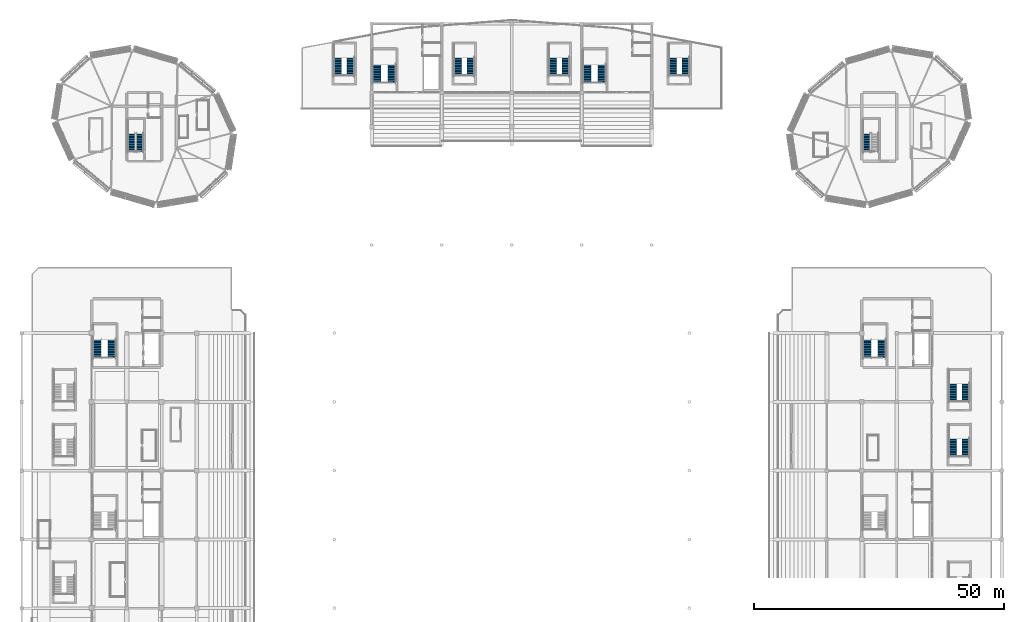
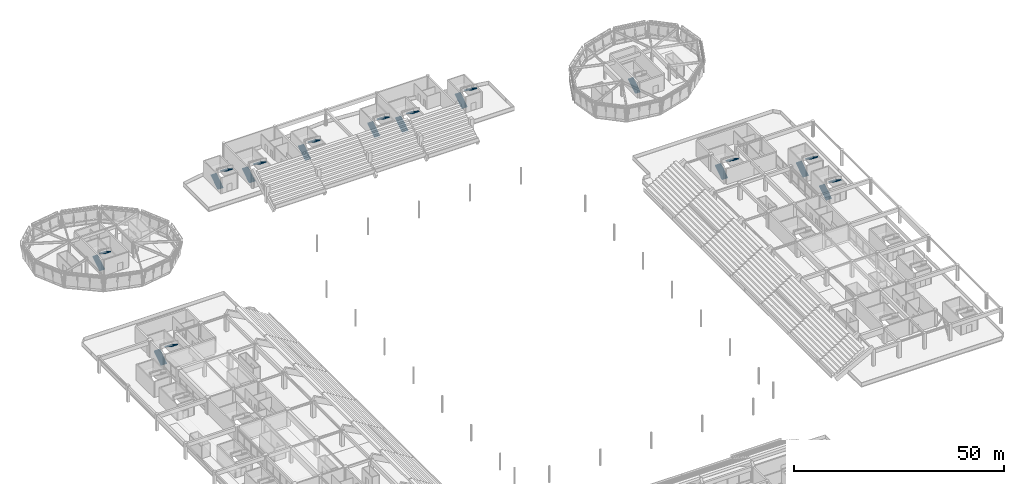
# One storey, part 79 of 94: 23 stair flights, 12 elements without a shape of their own.
"""IFC4 building model written with IfcOpenShell, lengths in metres."""

from ifc_helpers import new_model, si_unit, direction, frame, origin, place, context, subcontext, project, spatial, polyline, outline, extrude, material, type_object, element, aggregate, save


model = new_model("IFC4")

# Units and contexts
model_context = context("Model", 3, precision=1e-05, world=origin(), true_north=direction((0.0, 1.0)))
body_context = subcontext(model_context, "Body", "Model", "MODEL_VIEW")
ifc_project = project(units=[si_unit("LENGTHUNIT", "METRE"), si_unit("AREAUNIT", "SQUARE_METRE"), si_unit("VOLUMEUNIT", "CUBIC_METRE"), si_unit("PLANEANGLEUNIT", "RADIAN"), si_unit("MASSUNIT", "GRAM", prefix="KILO")], contexts=[model_context])

# Site, building, storey
site_placement = place(None, origin())
site = spatial("IfcSite", under=ifc_project, at=site_placement, CompositionType="ELEMENT")
building_placement = place(site_placement, origin())
building = spatial("IfcBuilding", under=site, at=building_placement, Name="Linyun Crest Stadium", CompositionType="ELEMENT")
storey_placement = place(building_placement, frame((0.0, 0.0, 16.199951171875)))
storey = spatial("IfcBuildingStorey", under=building, at=storey_placement, Name="L04", CompositionType="ELEMENT", Elevation=16.199951171875)

# Stair, stair flights
ifc_material_1 = material(Name="Concrete C40", Category="concrete")
stair_type = type_object("IfcStairType", Name="STA03", PredefinedType="HALF_TURN_STAIR", material=ifc_material_1)
stair_1_placement = place(storey_placement, origin())
stair_1 = element("IfcStair", 1, at=stair_1_placement, inside=storey, type_object=stair_type, Name="Evacuation stair STR-03-L04", PredefinedType="HALF_TURN_STAIR")
ifc_material_2 = material(Name="Concrete C40", Category="concrete")
stair_flight_type_1 = type_object("IfcStairFlightType", Name="STF01", PredefinedType="STRAIGHT", material=ifc_material_2)
stair_flight_1_placement = place(storey_placement, frame((-82.909912109375, 38.489990234375, 0.0), z_axis=(0.0, 0.0, 1.0), x_axis=(0.0, 1.0, 0.0)))
stair_flight_1 = element("IfcStairFlight", 2, at=stair_flight_1_placement, type_object=stair_flight_type_1, Name="STR-03-L04 flight 1", NumberOfRisers=15, NumberOfTreads=14, PredefinedType="STRAIGHT", RiserHeight=0.16, TreadLength=0.25, context=body_context, shape_type="SweptSolid", body=[
    extrude(outline(polyline([(0.0, 0.0), (0.0, 0.159912109375), (0.25, 0.159912109375), (0.25, 0.320068359375), (0.5, 0.320068359375), (0.5, 0.47998046875), (0.75, 0.47998046875), (0.75, 0.639892578125), (1.0, 0.639892578125), (1.0, 0.800048828125), (1.25, 0.800048828125), (1.25, 0.9599609375), (1.5, 0.9599609375), (1.5, 1.1201171875), (1.75, 1.1201171875), (1.75, 1.280029296875), (2.0, 1.280029296875), (2.0, 1.43994140625), (2.25, 1.43994140625), (2.25, 1.60009765625), (2.5, 1.60009765625), (2.5, 1.760009765625), (2.75, 1.760009765625), (2.75, 1.919921875), (3.0, 1.919921875), (3.0, 2.080078125), (3.25, 2.080078125), (3.25, 2.239990234375), (3.5, 2.239990234375), (3.5, 2.39990234375), (3.5, 2.0263671875), (0.333740234375, 0.0), (0.0, 0.0)])), frame((0.0, 0.824951171875, 0.0), z_axis=(0.0, -1.0, 0.0), x_axis=(1.0, 0.0, 0.0)), (0.0, 0.0, 1.0), 1.64990234375),
])
stair_flight_2_placement = place(storey_placement, frame((-79.965087890625, 41.989990234375, 2.400146484375), z_axis=(0.0, 0.0, 1.0), x_axis=(0.0, -1.0, 0.0)))
stair_flight_2 = element("IfcStairFlight", 3, at=stair_flight_2_placement, type_object=stair_flight_type_1, Name="STR-03-L04 flight 2", NumberOfRisers=15, NumberOfTreads=14, PredefinedType="STRAIGHT", RiserHeight=0.16, TreadLength=0.25, context=body_context, shape_type="SweptSolid", body=[
    extrude(outline(polyline([(0.0, 0.0), (0.0, 0.159912109375), (0.25, 0.159912109375), (0.25, 0.320068359375), (0.5, 0.320068359375), (0.5, 0.47998046875), (0.75, 0.47998046875), (0.75, 0.639892578125), (1.0, 0.639892578125), (1.0, 0.800048828125), (1.25, 0.800048828125), (1.25, 0.9599609375), (1.5, 0.9599609375), (1.5, 1.1201171875), (1.75, 1.1201171875), (1.75, 1.280029296875), (2.0, 1.280029296875), (2.0, 1.43994140625), (2.25, 1.43994140625), (2.25, 1.60009765625), (2.5, 1.60009765625), (2.5, 1.760009765625), (2.75, 1.760009765625), (2.75, 1.919921875), (3.0, 1.919921875), (3.0, 2.080078125), (3.25, 2.080078125), (3.25, 2.239990234375), (3.5, 2.239990234375), (3.5, 2.39990234375), (3.5, 2.0263671875), (0.333740234375, 0.0), (0.0, 0.0)])), frame((0.0, 0.824951171875, 0.0), z_axis=(0.0, -1.0, 0.0), x_axis=(1.0, 0.0, 0.0)), (0.0, 0.0, 1.0), 1.64990234375),
])
aggregate(stair_1, [stair_flight_1, stair_flight_2])

stair_2_placement = place(storey_placement, origin())
stair_2 = element("IfcStair", 4, at=stair_2_placement, inside=storey, type_object=stair_type, Name="Evacuation stair STR-06-L04", PredefinedType="HALF_TURN_STAIR")
stair_flight_3_placement = place(storey_placement, frame((71.090087890625, 38.489990234375, 0.0), z_axis=(0.0, 0.0, 1.0), x_axis=(0.0, 1.0, 0.0)))
stair_flight_3 = element("IfcStairFlight", 5, at=stair_flight_3_placement, type_object=stair_flight_type_1, Name="STR-06-L04 flight 1", NumberOfRisers=15, NumberOfTreads=14, PredefinedType="STRAIGHT", RiserHeight=0.16, TreadLength=0.25, context=body_context, shape_type="SweptSolid", body=[
    extrude(outline(polyline([(0.0, 0.0), (0.0, 0.159912109375), (0.25, 0.159912109375), (0.25, 0.320068359375), (0.5, 0.320068359375), (0.5, 0.47998046875), (0.75, 0.47998046875), (0.75, 0.639892578125), (1.0, 0.639892578125), (1.0, 0.800048828125), (1.25, 0.800048828125), (1.25, 0.9599609375), (1.5, 0.9599609375), (1.5, 1.1201171875), (1.75, 1.1201171875), (1.75, 1.280029296875), (2.0, 1.280029296875), (2.0, 1.43994140625), (2.25, 1.43994140625), (2.25, 1.60009765625), (2.5, 1.60009765625), (2.5, 1.760009765625), (2.75, 1.760009765625), (2.75, 1.919921875), (3.0, 1.919921875), (3.0, 2.080078125), (3.25, 2.080078125), (3.25, 2.239990234375), (3.5, 2.239990234375), (3.5, 2.39990234375), (3.5, 2.0263671875), (0.333740234375, 0.0), (0.0, 0.0)])), frame((0.0, 0.824951171875, 0.0), z_axis=(0.0, -1.0, 0.0), x_axis=(1.0, 0.0, 0.0)), (0.0, 0.0, 1.0), 1.64990234375),
])
stair_flight_4_placement = place(storey_placement, frame((74.034912109375, 41.989990234375, 2.400146484375), z_axis=(0.0, 0.0, 1.0), x_axis=(0.0, -1.0, 0.0)))
stair_flight_4 = element("IfcStairFlight", 6, at=stair_flight_4_placement, type_object=stair_flight_type_1, Name="STR-06-L04 flight 2", NumberOfRisers=15, NumberOfTreads=14, PredefinedType="STRAIGHT", RiserHeight=0.16, TreadLength=0.25, context=body_context, shape_type="SweptSolid", body=[
    extrude(outline(polyline([(0.0, 0.0), (0.0, 0.159912109375), (0.25, 0.159912109375), (0.25, 0.320068359375), (0.5, 0.320068359375), (0.5, 0.47998046875), (0.75, 0.47998046875), (0.75, 0.639892578125), (1.0, 0.639892578125), (1.0, 0.800048828125), (1.25, 0.800048828125), (1.25, 0.9599609375), (1.5, 0.9599609375), (1.5, 1.1201171875), (1.75, 1.1201171875), (1.75, 1.280029296875), (2.0, 1.280029296875), (2.0, 1.43994140625), (2.25, 1.43994140625), (2.25, 1.60009765625), (2.5, 1.60009765625), (2.5, 1.760009765625), (2.75, 1.760009765625), (2.75, 1.919921875), (3.0, 1.919921875), (3.0, 2.080078125), (3.25, 2.080078125), (3.25, 2.239990234375), (3.5, 2.239990234375), (3.5, 2.39990234375), (3.5, 2.0263671875), (0.333740234375, 0.0), (0.0, 0.0)])), frame((0.0, 0.824951171875, 0.0), z_axis=(0.0, -1.0, 0.0), x_axis=(1.0, 0.0, 0.0)), (0.0, 0.0, 1.0), 1.64990234375),
])
aggregate(stair_2, [stair_flight_3, stair_flight_4])

stair_3_placement = place(storey_placement, origin())
stair_3 = element("IfcStair", 7, at=stair_3_placement, inside=storey, type_object=stair_type, Name="Evacuation stair STR-07-L04", PredefinedType="HALF_TURN_STAIR")
stair_flight_5_placement = place(storey_placement, frame((-26.9599609375, 93.489990234375, 0.0), z_axis=(0.0, 0.0, 1.0), x_axis=(0.0, 1.0, 0.0)))
stair_flight_5 = element("IfcStairFlight", 8, at=stair_flight_5_placement, type_object=stair_flight_type_1, Name="STR-07-L04 flight 1", NumberOfRisers=15, NumberOfTreads=14, PredefinedType="STRAIGHT", RiserHeight=0.16, TreadLength=0.25, context=body_context, shape_type="SweptSolid", body=[
    extrude(outline(polyline([(0.0, 0.0), (0.0, 0.159912109375), (0.25, 0.159912109375), (0.25, 0.320068359375), (0.5, 0.320068359375), (0.5, 0.47998046875), (0.75, 0.47998046875), (0.75, 0.639892578125), (1.0, 0.639892578125), (1.0, 0.800048828125), (1.25, 0.800048828125), (1.25, 0.9599609375), (1.5, 0.9599609375), (1.5, 1.1201171875), (1.75, 1.1201171875), (1.75, 1.280029296875), (2.0, 1.280029296875), (2.0, 1.43994140625), (2.25, 1.43994140625), (2.25, 1.60009765625), (2.5, 1.60009765625), (2.5, 1.760009765625), (2.75, 1.760009765625), (2.75, 1.919921875), (3.0, 1.919921875), (3.0, 2.080078125), (3.25, 2.080078125), (3.25, 2.239990234375), (3.5, 2.239990234375), (3.5, 2.39990234375), (3.5, 2.0263671875), (0.333740234375, 0.0), (0.0, 0.0)])), frame((0.0, 0.824951171875, 0.0), z_axis=(0.0, -1.0, 0.0), x_axis=(1.0, 0.0, 0.0)), (0.0, 0.0, 1.0), 1.64990234375),
])
stair_flight_6_placement = place(storey_placement, frame((-23.965087890625, 96.989990234375, 2.400146484375), z_axis=(0.0, 0.0, 1.0), x_axis=(0.0, -1.0, 0.0)))
stair_flight_6 = element("IfcStairFlight", 9, at=stair_flight_6_placement, type_object=stair_flight_type_1, Name="STR-07-L04 flight 2", NumberOfRisers=15, NumberOfTreads=14, PredefinedType="STRAIGHT", RiserHeight=0.16, TreadLength=0.25, context=body_context, shape_type="SweptSolid", body=[
    extrude(outline(polyline([(0.0, 0.0), (0.0, 0.159912109375), (0.25, 0.159912109375), (0.25, 0.320068359375), (0.5, 0.320068359375), (0.5, 0.47998046875), (0.75, 0.47998046875), (0.75, 0.639892578125), (1.0, 0.639892578125), (1.0, 0.800048828125), (1.25, 0.800048828125), (1.25, 0.9599609375), (1.5, 0.9599609375), (1.5, 1.1201171875), (1.75, 1.1201171875), (1.75, 1.280029296875), (2.0, 1.280029296875), (2.0, 1.43994140625), (2.25, 1.43994140625), (2.25, 1.60009765625), (2.5, 1.60009765625), (2.5, 1.760009765625), (2.75, 1.760009765625), (2.75, 1.919921875), (3.0, 1.919921875), (3.0, 2.080078125), (3.25, 2.080078125), (3.25, 2.239990234375), (3.5, 2.239990234375), (3.5, 2.39990234375), (3.5, 2.0263671875), (0.333740234375, 0.0), (0.0, 0.0)])), frame((0.0, 0.824951171875, 0.0), z_axis=(0.0, -1.0, 0.0), x_axis=(1.0, 0.0, 0.0)), (0.0, 0.0, 1.0), 1.64990234375),
])
aggregate(stair_3, [stair_flight_5, stair_flight_6])

stair_4_placement = place(storey_placement, origin())
stair_4 = element("IfcStair", 10, at=stair_4_placement, inside=storey, type_object=stair_type, Name="Evacuation stair STR-08-L04", PredefinedType="HALF_TURN_STAIR")
stair_flight_7_placement = place(storey_placement, frame((15.06494140625, 93.489990234375, 0.0), z_axis=(0.0, 0.0, 1.0), x_axis=(0.0, 1.0, 0.0)))
stair_flight_7 = element("IfcStairFlight", 11, at=stair_flight_7_placement, type_object=stair_flight_type_1, Name="STR-08-L04 flight 1", NumberOfRisers=15, NumberOfTreads=14, PredefinedType="STRAIGHT", RiserHeight=0.16, TreadLength=0.25, context=body_context, shape_type="SweptSolid", body=[
    extrude(outline(polyline([(0.0, 0.0), (0.0, 0.159912109375), (0.25, 0.159912109375), (0.25, 0.320068359375), (0.5, 0.320068359375), (0.5, 0.47998046875), (0.75, 0.47998046875), (0.75, 0.639892578125), (1.0, 0.639892578125), (1.0, 0.800048828125), (1.25, 0.800048828125), (1.25, 0.9599609375), (1.5, 0.9599609375), (1.5, 1.1201171875), (1.75, 1.1201171875), (1.75, 1.280029296875), (2.0, 1.280029296875), (2.0, 1.43994140625), (2.25, 1.43994140625), (2.25, 1.60009765625), (2.5, 1.60009765625), (2.5, 1.760009765625), (2.75, 1.760009765625), (2.75, 1.919921875), (3.0, 1.919921875), (3.0, 2.080078125), (3.25, 2.080078125), (3.25, 2.239990234375), (3.5, 2.239990234375), (3.5, 2.39990234375), (3.5, 2.0263671875), (0.333740234375, 0.0), (0.0, 0.0)])), frame((0.0, 0.824951171875, 0.0), z_axis=(0.0, -1.0, 0.0), x_axis=(1.0, 0.0, 0.0)), (0.0, 0.0, 1.0), 1.64990234375),
])
stair_flight_8_placement = place(storey_placement, frame((18.034912109375, 96.989990234375, 2.400146484375), z_axis=(0.0, 0.0, 1.0), x_axis=(0.0, -1.0, 0.0)))
stair_flight_8 = element("IfcStairFlight", 12, at=stair_flight_8_placement, type_object=stair_flight_type_1, Name="STR-08-L04 flight 2", NumberOfRisers=15, NumberOfTreads=14, PredefinedType="STRAIGHT", RiserHeight=0.16, TreadLength=0.25, context=body_context, shape_type="SweptSolid", body=[
    extrude(outline(polyline([(0.0, 0.0), (0.0, 0.159912109375), (0.25, 0.159912109375), (0.25, 0.320068359375), (0.5, 0.320068359375), (0.5, 0.47998046875), (0.75, 0.47998046875), (0.75, 0.639892578125), (1.0, 0.639892578125), (1.0, 0.800048828125), (1.25, 0.800048828125), (1.25, 0.9599609375), (1.5, 0.9599609375), (1.5, 1.1201171875), (1.75, 1.1201171875), (1.75, 1.280029296875), (2.0, 1.280029296875), (2.0, 1.43994140625), (2.25, 1.43994140625), (2.25, 1.60009765625), (2.5, 1.60009765625), (2.5, 1.760009765625), (2.75, 1.760009765625), (2.75, 1.919921875), (3.0, 1.919921875), (3.0, 2.080078125), (3.25, 2.080078125), (3.25, 2.239990234375), (3.5, 2.239990234375), (3.5, 2.39990234375), (3.5, 2.0263671875), (0.333740234375, 0.0), (0.0, 0.0)])), frame((0.0, 0.824951171875, 0.0), z_axis=(0.0, -1.0, 0.0), x_axis=(1.0, 0.0, 0.0)), (0.0, 0.0, 1.0), 1.64990234375),
])
aggregate(stair_4, [stair_flight_7, stair_flight_8])

stair_5_placement = place(storey_placement, origin())
stair_5 = element("IfcStair", 13, at=stair_5_placement, inside=storey, type_object=stair_type, Name="Vomitory evacuation stair STR-21-L04", PredefinedType="HALF_TURN_STAIR")
ifc_material_3 = material(Name="Concrete C40", Category="concrete")
stair_flight_type_2 = type_object("IfcStairFlightType", Name="STF02", PredefinedType="STRAIGHT", material=ifc_material_3)
stair_flight_9_placement = place(storey_placement, frame((88.215087890625, 18.719970703125, 0.0), z_axis=(0.0, 0.0, 1.0), x_axis=(0.0, 1.0, 0.0)))
stair_flight_9 = element("IfcStairFlight", 14, at=stair_flight_9_placement, type_object=stair_flight_type_2, Name="STR-21-L04 flight 1", NumberOfRisers=15, NumberOfTreads=14, PredefinedType="STRAIGHT", RiserHeight=0.16, TreadLength=0.25, context=body_context, shape_type="SweptSolid", body=[
    extrude(outline(polyline([(0.0, 0.0), (0.0, 0.159912109375), (0.25, 0.159912109375), (0.25, 0.320068359375), (0.5, 0.320068359375), (0.5, 0.47998046875), (0.75, 0.47998046875), (0.75, 0.639892578125), (1.0, 0.639892578125), (1.0, 0.800048828125), (1.25, 0.800048828125), (1.25, 0.9599609375), (1.5, 0.9599609375), (1.5, 1.1201171875), (1.75, 1.1201171875), (1.75, 1.280029296875), (2.0, 1.280029296875), (2.0, 1.43994140625), (2.25, 1.43994140625), (2.25, 1.60009765625), (2.5, 1.60009765625), (2.5, 1.760009765625), (2.75, 1.760009765625), (2.75, 1.919921875), (3.0, 1.919921875), (3.0, 2.080078125), (3.25, 2.080078125), (3.25, 2.239990234375), (3.5, 2.239990234375), (3.5, 2.39990234375), (3.5, 2.0263671875), (0.333740234375, 0.0), (0.0, 0.0)])), frame((0.0, 0.77490234375, 0.0), z_axis=(0.0, -1.0, 0.0), x_axis=(1.0, 0.0, 0.0)), (0.0, 0.0, 1.0), 1.550048828125),
])
stair_flight_10_placement = place(storey_placement, frame((90.784912109375, 22.219970703125, 2.400146484375), z_axis=(0.0, 0.0, 1.0), x_axis=(0.0, -1.0, 0.0)))
stair_flight_10 = element("IfcStairFlight", 15, at=stair_flight_10_placement, type_object=stair_flight_type_2, Name="STR-21-L04 flight 2", NumberOfRisers=15, NumberOfTreads=14, PredefinedType="STRAIGHT", RiserHeight=0.16, TreadLength=0.25, context=body_context, shape_type="SweptSolid", body=[
    extrude(outline(polyline([(0.0, 0.0), (0.0, 0.159912109375), (0.25, 0.159912109375), (0.25, 0.320068359375), (0.5, 0.320068359375), (0.5, 0.47998046875), (0.75, 0.47998046875), (0.75, 0.639892578125), (1.0, 0.639892578125), (1.0, 0.800048828125), (1.25, 0.800048828125), (1.25, 0.9599609375), (1.5, 0.9599609375), (1.5, 1.1201171875), (1.75, 1.1201171875), (1.75, 1.280029296875), (2.0, 1.280029296875), (2.0, 1.43994140625), (2.25, 1.43994140625), (2.25, 1.60009765625), (2.5, 1.60009765625), (2.5, 1.760009765625), (2.75, 1.760009765625), (2.75, 1.919921875), (3.0, 1.919921875), (3.0, 2.080078125), (3.25, 2.080078125), (3.25, 2.239990234375), (3.5, 2.239990234375), (3.5, 2.39990234375), (3.5, 2.0263671875), (0.333740234375, 0.0), (0.0, 0.0)])), frame((0.0, 0.77490234375, 0.0), z_axis=(0.0, -1.0, 0.0), x_axis=(1.0, 0.0, 0.0)), (0.0, 0.0, 1.0), 1.550048828125),
])
aggregate(stair_5, [stair_flight_9, stair_flight_10])

stair_6_placement = place(storey_placement, origin())
stair_6 = element("IfcStair", 16, at=stair_6_placement, inside=storey, type_object=stair_type, Name="Vomitory evacuation stair STR-22-L04", PredefinedType="HALF_TURN_STAIR")
stair_flight_11_placement = place(storey_placement, frame((88.215087890625, 29.719970703125, 0.0), z_axis=(0.0, 0.0, 1.0), x_axis=(0.0, 1.0, 0.0)))
stair_flight_11 = element("IfcStairFlight", 17, at=stair_flight_11_placement, type_object=stair_flight_type_2, Name="STR-22-L04 flight 1", NumberOfRisers=15, NumberOfTreads=14, PredefinedType="STRAIGHT", RiserHeight=0.16, TreadLength=0.25, context=body_context, shape_type="SweptSolid", body=[
    extrude(outline(polyline([(0.0, 0.0), (0.0, 0.159912109375), (0.25, 0.159912109375), (0.25, 0.320068359375), (0.5, 0.320068359375), (0.5, 0.47998046875), (0.75, 0.47998046875), (0.75, 0.639892578125), (1.0, 0.639892578125), (1.0, 0.800048828125), (1.25, 0.800048828125), (1.25, 0.9599609375), (1.5, 0.9599609375), (1.5, 1.1201171875), (1.75, 1.1201171875), (1.75, 1.280029296875), (2.0, 1.280029296875), (2.0, 1.43994140625), (2.25, 1.43994140625), (2.25, 1.60009765625), (2.5, 1.60009765625), (2.5, 1.760009765625), (2.75, 1.760009765625), (2.75, 1.919921875), (3.0, 1.919921875), (3.0, 2.080078125), (3.25, 2.080078125), (3.25, 2.239990234375), (3.5, 2.239990234375), (3.5, 2.39990234375), (3.5, 2.0263671875), (0.333740234375, 0.0), (0.0, 0.0)])), frame((0.0, 0.77490234375, 0.0), z_axis=(0.0, -1.0, 0.0), x_axis=(1.0, 0.0, 0.0)), (0.0, 0.0, 1.0), 1.550048828125),
])
stair_flight_12_placement = place(storey_placement, frame((90.784912109375, 33.219970703125, 2.400146484375), z_axis=(0.0, 0.0, 1.0), x_axis=(0.0, -1.0, 0.0)))
stair_flight_12 = element("IfcStairFlight", 18, at=stair_flight_12_placement, type_object=stair_flight_type_2, Name="STR-22-L04 flight 2", NumberOfRisers=15, NumberOfTreads=14, PredefinedType="STRAIGHT", RiserHeight=0.16, TreadLength=0.25, context=body_context, shape_type="SweptSolid", body=[
    extrude(outline(polyline([(0.0, 0.0), (0.0, 0.159912109375), (0.25, 0.159912109375), (0.25, 0.320068359375), (0.5, 0.320068359375), (0.5, 0.47998046875), (0.75, 0.47998046875), (0.75, 0.639892578125), (1.0, 0.639892578125), (1.0, 0.800048828125), (1.25, 0.800048828125), (1.25, 0.9599609375), (1.5, 0.9599609375), (1.5, 1.1201171875), (1.75, 1.1201171875), (1.75, 1.280029296875), (2.0, 1.280029296875), (2.0, 1.43994140625), (2.25, 1.43994140625), (2.25, 1.60009765625), (2.5, 1.60009765625), (2.5, 1.760009765625), (2.75, 1.760009765625), (2.75, 1.919921875), (3.0, 1.919921875), (3.0, 2.080078125), (3.25, 2.080078125), (3.25, 2.239990234375), (3.5, 2.239990234375), (3.5, 2.39990234375), (3.5, 2.0263671875), (0.333740234375, 0.0), (0.0, 0.0)])), frame((0.0, 0.77490234375, 0.0), z_axis=(0.0, -1.0, 0.0), x_axis=(1.0, 0.0, 0.0)), (0.0, 0.0, 1.0), 1.550048828125),
])
aggregate(stair_6, [stair_flight_11, stair_flight_12])

stair_7_placement = place(storey_placement, origin())
stair_7 = element("IfcStair", 19, at=stair_7_placement, inside=storey, type_object=stair_type, Name="Vomitory evacuation stair STR-23-L04", PredefinedType="HALF_TURN_STAIR")
stair_flight_13_placement = place(storey_placement, frame((-34.784912109375, 94.919921875, 0.0), z_axis=(0.0, 0.0, 1.0), x_axis=(0.0, 1.0, 0.0)))
stair_flight_13 = element("IfcStairFlight", 20, at=stair_flight_13_placement, type_object=stair_flight_type_2, Name="STR-23-L04 flight 1", NumberOfRisers=15, NumberOfTreads=14, PredefinedType="STRAIGHT", RiserHeight=0.16, TreadLength=0.25, context=body_context, shape_type="SweptSolid", body=[
    extrude(outline(polyline([(0.0, 0.0), (0.0, 0.159912109375), (0.25, 0.159912109375), (0.25, 0.320068359375), (0.5, 0.320068359375), (0.5, 0.47998046875), (0.75, 0.47998046875), (0.75, 0.639892578125), (1.0, 0.639892578125), (1.0, 0.800048828125), (1.25, 0.800048828125), (1.25, 0.9599609375), (1.5, 0.9599609375), (1.5, 1.1201171875), (1.75, 1.1201171875), (1.75, 1.280029296875), (2.0, 1.280029296875), (2.0, 1.43994140625), (2.25, 1.43994140625), (2.25, 1.60009765625), (2.5, 1.60009765625), (2.5, 1.760009765625), (2.75, 1.760009765625), (2.75, 1.919921875), (3.0, 1.919921875), (3.0, 2.080078125), (3.25, 2.080078125), (3.25, 2.239990234375), (3.5, 2.239990234375), (3.5, 2.39990234375), (3.5, 2.0263671875), (0.333740234375, 0.0), (0.0, 0.0)])), frame((0.0, 0.77490234375, 0.0), z_axis=(0.0, -1.0, 0.0), x_axis=(1.0, 0.0, 0.0)), (0.0, 0.0, 1.0), 1.550048828125),
])
stair_flight_14_placement = place(storey_placement, frame((-32.215087890625, 98.419921875, 2.400146484375), z_axis=(0.0, 0.0, 1.0), x_axis=(0.0, -1.0, 0.0)))
stair_flight_14 = element("IfcStairFlight", 21, at=stair_flight_14_placement, type_object=stair_flight_type_2, Name="STR-23-L04 flight 2", NumberOfRisers=15, NumberOfTreads=14, PredefinedType="STRAIGHT", RiserHeight=0.16, TreadLength=0.25, context=body_context, shape_type="SweptSolid", body=[
    extrude(outline(polyline([(0.0, 0.0), (0.0, 0.159912109375), (0.25, 0.159912109375), (0.25, 0.320068359375), (0.5, 0.320068359375), (0.5, 0.47998046875), (0.75, 0.47998046875), (0.75, 0.639892578125), (1.0, 0.639892578125), (1.0, 0.800048828125), (1.25, 0.800048828125), (1.25, 0.9599609375), (1.5, 0.9599609375), (1.5, 1.1201171875), (1.75, 1.1201171875), (1.75, 1.280029296875), (2.0, 1.280029296875), (2.0, 1.43994140625), (2.25, 1.43994140625), (2.25, 1.60009765625), (2.5, 1.60009765625), (2.5, 1.760009765625), (2.75, 1.760009765625), (2.75, 1.919921875), (3.0, 1.919921875), (3.0, 2.080078125), (3.25, 2.080078125), (3.25, 2.239990234375), (3.5, 2.239990234375), (3.5, 2.39990234375), (3.5, 2.0263671875), (0.333740234375, 0.0), (0.0, 0.0)])), frame((0.0, 0.77490234375, 0.0), z_axis=(0.0, -1.0, 0.0), x_axis=(1.0, 0.0, 0.0)), (0.0, 0.0, 1.0), 1.550048828125),
])
aggregate(stair_7, [stair_flight_13, stair_flight_14])

stair_8_placement = place(storey_placement, origin())
stair_8 = element("IfcStair", 22, at=stair_8_placement, inside=storey, type_object=stair_type, Name="Vomitory evacuation stair STR-24-L04", PredefinedType="HALF_TURN_STAIR")
stair_flight_15_placement = place(storey_placement, frame((-10.784912109375, 94.919921875, 0.0), z_axis=(0.0, 0.0, 1.0), x_axis=(0.0, 1.0, 0.0)))
stair_flight_15 = element("IfcStairFlight", 23, at=stair_flight_15_placement, type_object=stair_flight_type_2, Name="STR-24-L04 flight 1", NumberOfRisers=15, NumberOfTreads=14, PredefinedType="STRAIGHT", RiserHeight=0.16, TreadLength=0.25, context=body_context, shape_type="SweptSolid", body=[
    extrude(outline(polyline([(0.0, 0.0), (0.0, 0.159912109375), (0.25, 0.159912109375), (0.25, 0.320068359375), (0.5, 0.320068359375), (0.5, 0.47998046875), (0.75, 0.47998046875), (0.75, 0.639892578125), (1.0, 0.639892578125), (1.0, 0.800048828125), (1.25, 0.800048828125), (1.25, 0.9599609375), (1.5, 0.9599609375), (1.5, 1.1201171875), (1.75, 1.1201171875), (1.75, 1.280029296875), (2.0, 1.280029296875), (2.0, 1.43994140625), (2.25, 1.43994140625), (2.25, 1.60009765625), (2.5, 1.60009765625), (2.5, 1.760009765625), (2.75, 1.760009765625), (2.75, 1.919921875), (3.0, 1.919921875), (3.0, 2.080078125), (3.25, 2.080078125), (3.25, 2.239990234375), (3.5, 2.239990234375), (3.5, 2.39990234375), (3.5, 2.0263671875), (0.333740234375, 0.0), (0.0, 0.0)])), frame((0.0, 0.77490234375, 0.0), z_axis=(0.0, -1.0, 0.0), x_axis=(1.0, 0.0, 0.0)), (0.0, 0.0, 1.0), 1.550048828125),
])
stair_flight_16_placement = place(storey_placement, frame((-8.215087890625, 98.419921875, 2.400146484375), z_axis=(0.0, 0.0, 1.0), x_axis=(0.0, -1.0, 0.0)))
stair_flight_16 = element("IfcStairFlight", 24, at=stair_flight_16_placement, type_object=stair_flight_type_2, Name="STR-24-L04 flight 2", NumberOfRisers=15, NumberOfTreads=14, PredefinedType="STRAIGHT", RiserHeight=0.16, TreadLength=0.25, context=body_context, shape_type="SweptSolid", body=[
    extrude(outline(polyline([(0.0, 0.0), (0.0, 0.159912109375), (0.25, 0.159912109375), (0.25, 0.320068359375), (0.5, 0.320068359375), (0.5, 0.47998046875), (0.75, 0.47998046875), (0.75, 0.639892578125), (1.0, 0.639892578125), (1.0, 0.800048828125), (1.25, 0.800048828125), (1.25, 0.9599609375), (1.5, 0.9599609375), (1.5, 1.1201171875), (1.75, 1.1201171875), (1.75, 1.280029296875), (2.0, 1.280029296875), (2.0, 1.43994140625), (2.25, 1.43994140625), (2.25, 1.60009765625), (2.5, 1.60009765625), (2.5, 1.760009765625), (2.75, 1.760009765625), (2.75, 1.919921875), (3.0, 1.919921875), (3.0, 2.080078125), (3.25, 2.080078125), (3.25, 2.239990234375), (3.5, 2.239990234375), (3.5, 2.39990234375), (3.5, 2.0263671875), (0.333740234375, 0.0), (0.0, 0.0)])), frame((0.0, 0.77490234375, 0.0), z_axis=(0.0, -1.0, 0.0), x_axis=(1.0, 0.0, 0.0)), (0.0, 0.0, 1.0), 1.550048828125),
])
aggregate(stair_8, [stair_flight_15, stair_flight_16])

stair_9_placement = place(storey_placement, origin())
stair_9 = element("IfcStair", 25, at=stair_9_placement, inside=storey, type_object=stair_type, Name="Vomitory evacuation stair STR-25-L04", PredefinedType="HALF_TURN_STAIR")
stair_flight_17_placement = place(storey_placement, frame((8.215087890625, 94.919921875, 0.0), z_axis=(0.0, 0.0, 1.0), x_axis=(0.0, 1.0, 0.0)))
stair_flight_17 = element("IfcStairFlight", 26, at=stair_flight_17_placement, type_object=stair_flight_type_2, Name="STR-25-L04 flight 1", NumberOfRisers=15, NumberOfTreads=14, PredefinedType="STRAIGHT", RiserHeight=0.16, TreadLength=0.25, context=body_context, shape_type="SweptSolid", body=[
    extrude(outline(polyline([(0.0, 0.0), (0.0, 0.159912109375), (0.25, 0.159912109375), (0.25, 0.320068359375), (0.5, 0.320068359375), (0.5, 0.47998046875), (0.75, 0.47998046875), (0.75, 0.639892578125), (1.0, 0.639892578125), (1.0, 0.800048828125), (1.25, 0.800048828125), (1.25, 0.9599609375), (1.5, 0.9599609375), (1.5, 1.1201171875), (1.75, 1.1201171875), (1.75, 1.280029296875), (2.0, 1.280029296875), (2.0, 1.43994140625), (2.25, 1.43994140625), (2.25, 1.60009765625), (2.5, 1.60009765625), (2.5, 1.760009765625), (2.75, 1.760009765625), (2.75, 1.919921875), (3.0, 1.919921875), (3.0, 2.080078125), (3.25, 2.080078125), (3.25, 2.239990234375), (3.5, 2.239990234375), (3.5, 2.39990234375), (3.5, 2.0263671875), (0.333740234375, 0.0), (0.0, 0.0)])), frame((0.0, 0.77490234375, 0.0), z_axis=(0.0, -1.0, 0.0), x_axis=(1.0, 0.0, 0.0)), (0.0, 0.0, 1.0), 1.550048828125),
])
stair_flight_18_placement = place(storey_placement, frame((10.784912109375, 98.419921875, 2.400146484375), z_axis=(0.0, 0.0, 1.0), x_axis=(0.0, -1.0, 0.0)))
stair_flight_18 = element("IfcStairFlight", 27, at=stair_flight_18_placement, type_object=stair_flight_type_2, Name="STR-25-L04 flight 2", NumberOfRisers=15, NumberOfTreads=14, PredefinedType="STRAIGHT", RiserHeight=0.16, TreadLength=0.25, context=body_context, shape_type="SweptSolid", body=[
    extrude(outline(polyline([(0.0, 0.0), (0.0, 0.159912109375), (0.25, 0.159912109375), (0.25, 0.320068359375), (0.5, 0.320068359375), (0.5, 0.47998046875), (0.75, 0.47998046875), (0.75, 0.639892578125), (1.0, 0.639892578125), (1.0, 0.800048828125), (1.25, 0.800048828125), (1.25, 0.9599609375), (1.5, 0.9599609375), (1.5, 1.1201171875), (1.75, 1.1201171875), (1.75, 1.280029296875), (2.0, 1.280029296875), (2.0, 1.43994140625), (2.25, 1.43994140625), (2.25, 1.60009765625), (2.5, 1.60009765625), (2.5, 1.760009765625), (2.75, 1.760009765625), (2.75, 1.919921875), (3.0, 1.919921875), (3.0, 2.080078125), (3.25, 2.080078125), (3.25, 2.239990234375), (3.5, 2.239990234375), (3.5, 2.39990234375), (3.5, 2.0263671875), (0.333740234375, 0.0), (0.0, 0.0)])), frame((0.0, 0.77490234375, 0.0), z_axis=(0.0, -1.0, 0.0), x_axis=(1.0, 0.0, 0.0)), (0.0, 0.0, 1.0), 1.550048828125),
])
aggregate(stair_9, [stair_flight_17, stair_flight_18])

stair_10_placement = place(storey_placement, origin())
stair_10 = element("IfcStair", 28, at=stair_10_placement, inside=storey, type_object=stair_type, Name="Vomitory evacuation stair STR-26-L04", PredefinedType="HALF_TURN_STAIR")
stair_flight_19_placement = place(storey_placement, frame((32.215087890625, 94.919921875, 0.0), z_axis=(0.0, 0.0, 1.0), x_axis=(0.0, 1.0, 0.0)))
stair_flight_19 = element("IfcStairFlight", 29, at=stair_flight_19_placement, type_object=stair_flight_type_2, Name="STR-26-L04 flight 1", NumberOfRisers=15, NumberOfTreads=14, PredefinedType="STRAIGHT", RiserHeight=0.16, TreadLength=0.25, context=body_context, shape_type="SweptSolid", body=[
    extrude(outline(polyline([(0.0, 0.0), (0.0, 0.159912109375), (0.25, 0.159912109375), (0.25, 0.320068359375), (0.5, 0.320068359375), (0.5, 0.47998046875), (0.75, 0.47998046875), (0.75, 0.639892578125), (1.0, 0.639892578125), (1.0, 0.800048828125), (1.25, 0.800048828125), (1.25, 0.9599609375), (1.5, 0.9599609375), (1.5, 1.1201171875), (1.75, 1.1201171875), (1.75, 1.280029296875), (2.0, 1.280029296875), (2.0, 1.43994140625), (2.25, 1.43994140625), (2.25, 1.60009765625), (2.5, 1.60009765625), (2.5, 1.760009765625), (2.75, 1.760009765625), (2.75, 1.919921875), (3.0, 1.919921875), (3.0, 2.080078125), (3.25, 2.080078125), (3.25, 2.239990234375), (3.5, 2.239990234375), (3.5, 2.39990234375), (3.5, 2.0263671875), (0.333740234375, 0.0), (0.0, 0.0)])), frame((0.0, 0.77490234375, 0.0), z_axis=(0.0, -1.0, 0.0), x_axis=(1.0, 0.0, 0.0)), (0.0, 0.0, 1.0), 1.550048828125),
])
stair_flight_20_placement = place(storey_placement, frame((34.784912109375, 98.419921875, 2.400146484375), z_axis=(0.0, 0.0, 1.0), x_axis=(0.0, -1.0, 0.0)))
stair_flight_20 = element("IfcStairFlight", 30, at=stair_flight_20_placement, type_object=stair_flight_type_2, Name="STR-26-L04 flight 2", NumberOfRisers=15, NumberOfTreads=14, PredefinedType="STRAIGHT", RiserHeight=0.16, TreadLength=0.25, context=body_context, shape_type="SweptSolid", body=[
    extrude(outline(polyline([(0.0, 0.0), (0.0, 0.159912109375), (0.25, 0.159912109375), (0.25, 0.320068359375), (0.5, 0.320068359375), (0.5, 0.47998046875), (0.75, 0.47998046875), (0.75, 0.639892578125), (1.0, 0.639892578125), (1.0, 0.800048828125), (1.25, 0.800048828125), (1.25, 0.9599609375), (1.5, 0.9599609375), (1.5, 1.1201171875), (1.75, 1.1201171875), (1.75, 1.280029296875), (2.0, 1.280029296875), (2.0, 1.43994140625), (2.25, 1.43994140625), (2.25, 1.60009765625), (2.5, 1.60009765625), (2.5, 1.760009765625), (2.75, 1.760009765625), (2.75, 1.919921875), (3.0, 1.919921875), (3.0, 2.080078125), (3.25, 2.080078125), (3.25, 2.239990234375), (3.5, 2.239990234375), (3.5, 2.39990234375), (3.5, 2.0263671875), (0.333740234375, 0.0), (0.0, 0.0)])), frame((0.0, 0.77490234375, 0.0), z_axis=(0.0, -1.0, 0.0), x_axis=(1.0, 0.0, 0.0)), (0.0, 0.0, 1.0), 1.550048828125),
])
aggregate(stair_10, [stair_flight_19, stair_flight_20])

stair_11_placement = place(storey_placement, origin())
stair_11 = element("IfcStair", 31, at=stair_11_placement, inside=storey, type_object=stair_type, Name="Evacuation stair STR-11-L04", PredefinedType="HALF_TURN_STAIR")
ifc_material_4 = material(Name="Concrete C40", Category="concrete")
stair_flight_type_3 = type_object("IfcStairFlightType", Name="STF03", PredefinedType="STRAIGHT", material=ifc_material_4)
stair_flight_21_placement = place(storey_placement, frame((-76.06005859375, 79.739990234375, 0.0), z_axis=(0.0, 0.0, 1.0), x_axis=(0.0, 1.0, 0.0)))
stair_flight_21 = element("IfcStairFlight", 32, at=stair_flight_21_placement, type_object=stair_flight_type_3, Name="STR-11-L04 flight 1", NumberOfRisers=15, NumberOfTreads=14, PredefinedType="STRAIGHT", RiserHeight=0.16, TreadLength=0.25, context=body_context, shape_type="SweptSolid", body=[
    extrude(outline(polyline([(0.0, 0.0), (0.0, 0.159912109375), (0.25, 0.159912109375), (0.25, 0.320068359375), (0.5, 0.320068359375), (0.5, 0.47998046875), (0.75, 0.47998046875), (0.75, 0.639892578125), (1.0, 0.639892578125), (1.0, 0.800048828125), (1.25, 0.800048828125), (1.25, 0.9599609375), (1.5, 0.9599609375), (1.5, 1.1201171875), (1.75, 1.1201171875), (1.75, 1.280029296875), (2.0, 1.280029296875), (2.0, 1.43994140625), (2.25, 1.43994140625), (2.25, 1.60009765625), (2.5, 1.60009765625), (2.5, 1.760009765625), (2.75, 1.760009765625), (2.75, 1.919921875), (3.0, 1.919921875), (3.0, 2.080078125), (3.25, 2.080078125), (3.25, 2.239990234375), (3.5, 2.239990234375), (3.5, 2.39990234375), (3.5, 2.038330078125), (0.315185546875, 0.0), (0.0, 0.0)])), frame((0.0, 0.699951171875, 0.0), z_axis=(0.0, -1.0, 0.0), x_axis=(1.0, 0.0, 0.0)), (0.0, 0.0, 1.0), 1.39990234375),
])
stair_flight_22_placement = place(storey_placement, frame((-74.340087890625, 83.239990234375, 2.400146484375), z_axis=(0.0, 0.0, 1.0), x_axis=(0.0, -1.0, 0.0)))
stair_flight_22 = element("IfcStairFlight", 33, at=stair_flight_22_placement, type_object=stair_flight_type_3, Name="STR-11-L04 flight 2", NumberOfRisers=15, NumberOfTreads=14, PredefinedType="STRAIGHT", RiserHeight=0.16, TreadLength=0.25, context=body_context, shape_type="SweptSolid", body=[
    extrude(outline(polyline([(0.0, 0.0), (0.0, 0.159912109375), (0.25, 0.159912109375), (0.25, 0.320068359375), (0.5, 0.320068359375), (0.5, 0.47998046875), (0.75, 0.47998046875), (0.75, 0.639892578125), (1.0, 0.639892578125), (1.0, 0.800048828125), (1.25, 0.800048828125), (1.25, 0.9599609375), (1.5, 0.9599609375), (1.5, 1.1201171875), (1.75, 1.1201171875), (1.75, 1.280029296875), (2.0, 1.280029296875), (2.0, 1.43994140625), (2.25, 1.43994140625), (2.25, 1.60009765625), (2.5, 1.60009765625), (2.5, 1.760009765625), (2.75, 1.760009765625), (2.75, 1.919921875), (3.0, 1.919921875), (3.0, 2.080078125), (3.25, 2.080078125), (3.25, 2.239990234375), (3.5, 2.239990234375), (3.5, 2.39990234375), (3.5, 2.038330078125), (0.315185546875, 0.0), (0.0, 0.0)])), frame((0.0, 0.699951171875, 0.0), z_axis=(0.0, -1.0, 0.0), x_axis=(1.0, 0.0, 0.0)), (0.0, 0.0, 1.0), 1.39990234375),
])
aggregate(stair_11, [stair_flight_21, stair_flight_22])

# Stair, stair flight
stair_12_placement = place(storey_placement, origin())
stair_12 = element("IfcStair", 34, at=stair_12_placement, inside=storey, type_object=stair_type, Name="Evacuation stair STR-12-L04", PredefinedType="HALF_TURN_STAIR")
stair_flight_23_placement = place(storey_placement, frame((70.965087890625, 79.739990234375, 0.0), z_axis=(0.0, 0.0, 1.0), x_axis=(0.0, 1.0, 0.0)))
stair_flight_23 = element("IfcStairFlight", 35, at=stair_flight_23_placement, type_object=stair_flight_type_3, Name="STR-12-L04 flight 1", NumberOfRisers=15, NumberOfTreads=14, PredefinedType="STRAIGHT", RiserHeight=0.16, TreadLength=0.25, context=body_context, shape_type="SweptSolid", body=[
    extrude(outline(polyline([(0.0, 0.0), (0.0, 0.159912109375), (0.25, 0.159912109375), (0.25, 0.320068359375), (0.5, 0.320068359375), (0.5, 0.47998046875), (0.75, 0.47998046875), (0.75, 0.639892578125), (1.0, 0.639892578125), (1.0, 0.800048828125), (1.25, 0.800048828125), (1.25, 0.9599609375), (1.5, 0.9599609375), (1.5, 1.1201171875), (1.75, 1.1201171875), (1.75, 1.280029296875), (2.0, 1.280029296875), (2.0, 1.43994140625), (2.25, 1.43994140625), (2.25, 1.60009765625), (2.5, 1.60009765625), (2.5, 1.760009765625), (2.75, 1.760009765625), (2.75, 1.919921875), (3.0, 1.919921875), (3.0, 2.080078125), (3.25, 2.080078125), (3.25, 2.239990234375), (3.5, 2.239990234375), (3.5, 2.39990234375), (3.5, 2.038330078125), (0.315185546875, 0.0), (0.0, 0.0)])), frame((0.0, 0.699951171875, 0.0), z_axis=(0.0, -1.0, 0.0), x_axis=(1.0, 0.0, 0.0)), (0.0, 0.0, 1.0), 1.39990234375),
])
aggregate(stair_12, [stair_flight_23])

save(model, "model.ifc")
